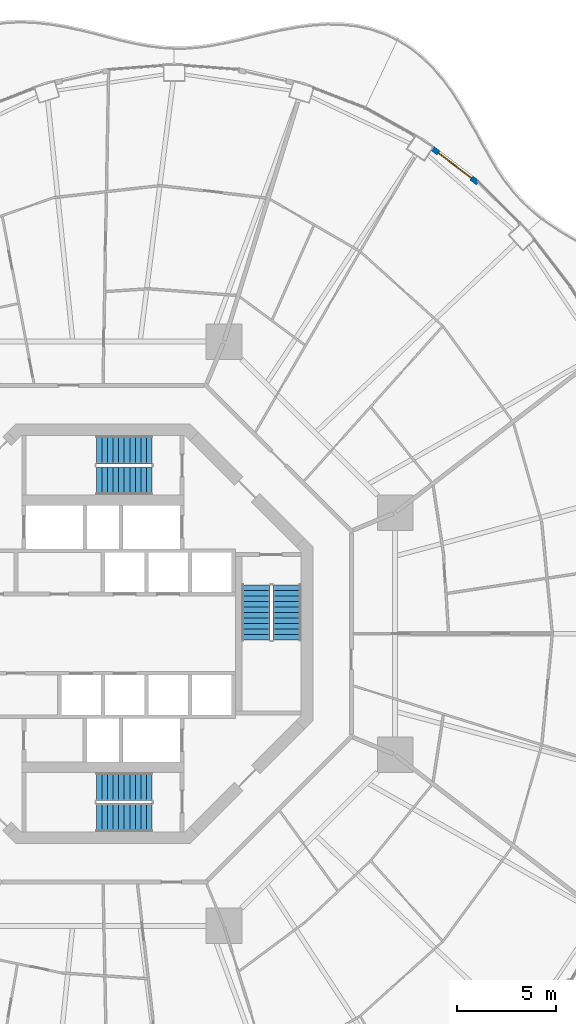
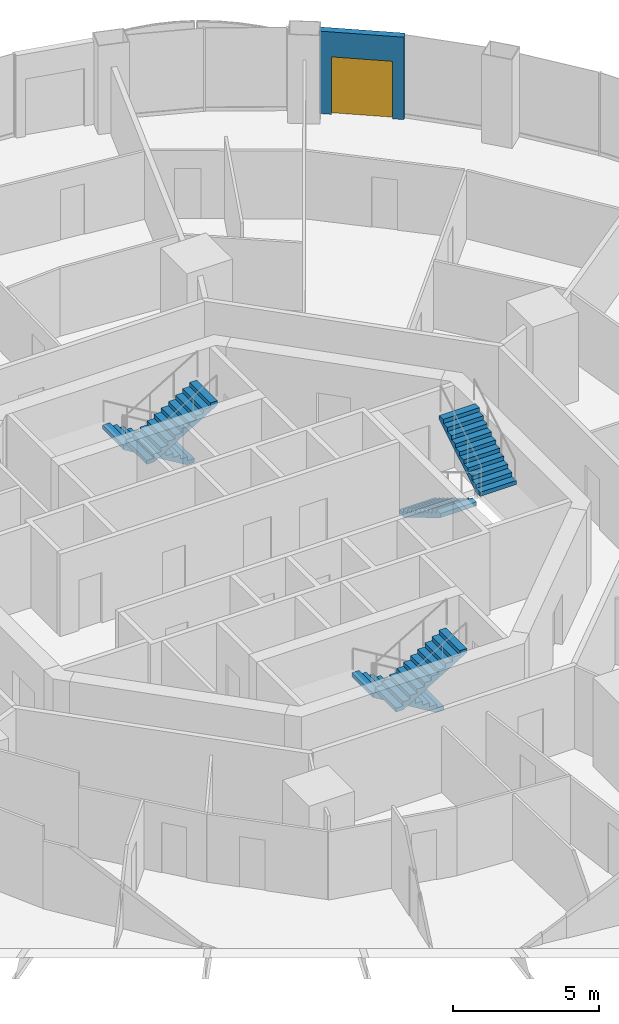
# One storey, part 16 of 19: 6 stair flights, 1 door, 1 wall, 1 opening, 3 elements without a shape of their own.
"""IFC4 building model written with IfcOpenShell, lengths in metres."""

from ifc_helpers import new_model, si_unit, direction, frame, frame_2d, origin, place, context, subcontext, project, spatial, polyline, rectangle, outline, extrude, material, layer, layer_set, type_object, element, fill, aggregate, save


model = new_model("IFC4")

# Units and contexts
model_context = context("Model", 3, precision=1e-05, world=origin(), true_north=direction((0.0, 1.0)))
body_context = subcontext(model_context, "Body", "Model", "MODEL_VIEW")
ifc_project = project(units=[si_unit("LENGTHUNIT", "METRE"), si_unit("AREAUNIT", "SQUARE_METRE"), si_unit("VOLUMEUNIT", "CUBIC_METRE"), si_unit("PLANEANGLEUNIT", "RADIAN"), si_unit("MASSUNIT", "GRAM", prefix="KILO")], contexts=[model_context])

# Site, building, storey
site_placement = place(None, origin())
site = spatial("IfcSite", under=ifc_project, at=site_placement, CompositionType="ELEMENT")
building_placement = place(site_placement, origin())
building = spatial("IfcBuilding", under=site, at=building_placement, Name="Nagisa Residences", CompositionType="ELEMENT")
storey_placement = place(building_placement, frame((0.0, 0.0, 177.0)))
storey = spatial("IfcBuildingStorey", under=building, at=storey_placement, Name="L44", CompositionType="ELEMENT", Elevation=177.0)

# Wall, opening, door
ifc_material_1 = material(Name="Precast concrete C40/50", Category="concrete")
ifc_layer = layer(ifc_material_1, 0.25)
ifc_layer_set = layer_set([ifc_layer], Name="BALCONY DOOR WALL 250")
wall_type = type_object("IfcWallType", Name="BALCONY DOOR WALL 250", PredefinedType="SOLIDWALL", material=ifc_layer_set)
wall_placement = place(storey_placement, frame((16.649658203125, 24.573974609375, 0.0), z_axis=(0.0, 0.0, 1.0), x_axis=(0.796055733703, -0.60522332146, 0.0)))
wall = element("IfcWall", 1, at=wall_placement, inside=storey, type_object=wall_type, Name="wall:L44:bay07", PredefinedType="SOLIDWALL", context=body_context, shape_type="SweptSolid", body=[
    extrude(rectangle(XDim=2.9169921875, YDim=0.25, at=frame_2d((1.45849609375, 0.0))), origin(), (0.0, 0.0, 1.0), 3.43994140625),
])
opening_placement = place(wall_placement, frame((0.408447265625, 0.0, 0.0)))
opening = element("IfcOpeningElement", 2, at=opening_placement, cuts=wall, Name="Opening BD-L44-03", PredefinedType="OPENING", context=body_context, shape_type="SweptSolid", body=[
    extrude(rectangle(XDim=2.10009765625, YDim=2.39990234375, at=frame_2d((1.050048828125, 1.199951171875))), frame((0.0, 0.135009765625, 0.0), z_axis=(0.0, -1.0, 0.0), x_axis=(1.0, 0.0, 0.0)), (0.0, 0.0, 1.0), 0.27001953125),
])
ifc_material_2 = material(Name="Aluminium and clear glass", Category="aluminium")
door_type = type_object("IfcDoorType", Name="BALCONY SLIDING DOOR 2100x2400", OperationType="SLIDING_TO_LEFT", PredefinedType="DOOR", material=ifc_material_2)
door_placement = place(opening_placement, origin())
door = element("IfcDoor", 3, at=door_placement, inside=storey, type_object=door_type, Name="door:L44:bay07", OperationType="SLIDING_TO_LEFT", OverallHeight=2.39990234375, OverallWidth=2.10009765625, PredefinedType="DOOR", context=body_context, shape_type="SweptSolid", body=[
    extrude(rectangle(XDim=2.10009765625, YDim=2.39990234375, at=frame_2d((1.050048828125, 1.199951171875))), frame((0.0, 0.02490234375, 0.0), z_axis=(0.0, -1.0, 0.0), x_axis=(1.0, 0.0, 0.0)), (0.0, 0.0, 1.0), 0.050048828125),
])
fill(opening, door)

# Stair, stair flights
ifc_material_3 = material(Name="Concrete C60", Category="concrete")
stair_type = type_object("IfcStairType", Name="Exit stair", PredefinedType="HALF_TURN_STAIR", material=ifc_material_3)
stair_1_placement = place(storey_placement, origin())
stair_1 = element("IfcStair", 4, at=stair_1_placement, inside=storey, type_object=stair_type, Name="L44 Exit stair E", PredefinedType="HALF_TURN_STAIR")
ifc_material_4 = material(Name="Concrete C60", Category="concrete")
stair_flight_type = type_object("IfcStairFlightType", Name="Exit stair flight", PredefinedType="STRAIGHT", material=ifc_material_4)
stair_flight_1_placement = place(storey_placement, frame((7.737060546875, 2.47509765625, 0.0), z_axis=(0.0, 0.0, 1.0), x_axis=(0.0, -1.0, 0.0)))
stair_flight_1 = element("IfcStairFlight", 5, at=stair_flight_1_placement, type_object=stair_flight_type, Name="ST-E flight 1", NumberOfRisers=11, NumberOfTreads=10, PredefinedType="STRAIGHT", RiserHeight=0.168181818, TreadLength=0.28, context=body_context, shape_type="SweptSolid", body=[
    extrude(outline(polyline([(0.0, 0.0), (0.0, 0.168212890625), (0.280029296875, 0.168212890625), (0.280029296875, 0.33642578125), (0.56005859375, 0.33642578125), (0.56005859375, 0.504638671875), (0.840087890625, 0.504638671875), (0.840087890625, 0.672607421875), (1.1201171875, 0.672607421875), (1.1201171875, 0.8408203125), (1.39990234375, 0.8408203125), (1.39990234375, 1.009033203125), (1.679931640625, 1.009033203125), (1.679931640625, 1.17724609375), (1.9599609375, 1.17724609375), (1.9599609375, 1.345458984375), (2.239990234375, 1.345458984375), (2.239990234375, 1.513671875), (2.52001953125, 1.513671875), (2.52001953125, 1.681884765625), (2.800048828125, 1.681884765625), (2.800048828125, 1.85009765625), (2.800048828125, 1.5068359375), (0.291015625, 0.0), (0.0, 0.0)])), frame((0.0, 0.71240234375, 0.0), z_axis=(0.0, -1.0, 0.0), x_axis=(1.0, 0.0, 0.0)), (0.0, 0.0, 1.0), 1.425048828125),
])
stair_flight_2_placement = place(storey_placement, frame((9.31201171875, -0.324951171875, 1.85009765625), z_axis=(0.0, 0.0, 1.0), x_axis=(0.0, 1.0, 0.0)))
stair_flight_2 = element("IfcStairFlight", 6, at=stair_flight_2_placement, type_object=stair_flight_type, Name="ST-E flight 2", NumberOfRisers=11, NumberOfTreads=10, PredefinedType="STRAIGHT", RiserHeight=0.168181818, TreadLength=0.28, context=body_context, shape_type="SweptSolid", body=[
    extrude(outline(polyline([(0.0, 0.0), (0.0, 0.168212890625), (0.280029296875, 0.168212890625), (0.280029296875, 0.33642578125), (0.56005859375, 0.33642578125), (0.56005859375, 0.504638671875), (0.840087890625, 0.504638671875), (0.840087890625, 0.672607421875), (1.1201171875, 0.672607421875), (1.1201171875, 0.8408203125), (1.39990234375, 0.8408203125), (1.39990234375, 1.009033203125), (1.679931640625, 1.009033203125), (1.679931640625, 1.17724609375), (1.9599609375, 1.17724609375), (1.9599609375, 1.345458984375), (2.239990234375, 1.345458984375), (2.239990234375, 1.513671875), (2.52001953125, 1.513671875), (2.52001953125, 1.681884765625), (2.800048828125, 1.681884765625), (2.800048828125, 1.85009765625), (2.800048828125, 1.5068359375), (0.291015625, 0.0), (0.0, 0.0)])), frame((0.0, 0.71240234375, 0.0), z_axis=(0.0, -1.0, 0.0), x_axis=(1.0, 0.0, 0.0)), (0.0, 0.0, 1.0), 1.425048828125),
])
aggregate(stair_1, [stair_flight_1, stair_flight_2])

stair_2_placement = place(storey_placement, origin())
stair_2 = element("IfcStair", 7, at=stair_2_placement, inside=storey, type_object=stair_type, Name="L44 Exit stair N", PredefinedType="HALF_TURN_STAIR")
stair_flight_3_placement = place(storey_placement, frame((2.47509765625, 9.31201171875, 0.0), z_axis=(0.0, 0.0, 1.0), x_axis=(-1.0, 0.0, 0.0)))
stair_flight_3 = element("IfcStairFlight", 8, at=stair_flight_3_placement, type_object=stair_flight_type, Name="ST-N flight 1", NumberOfRisers=11, NumberOfTreads=10, PredefinedType="STRAIGHT", RiserHeight=0.168181818, TreadLength=0.28, context=body_context, shape_type="SweptSolid", body=[
    extrude(outline(polyline([(0.0, 0.0), (0.0, 0.168212890625), (0.280029296875, 0.168212890625), (0.280029296875, 0.33642578125), (0.56005859375, 0.33642578125), (0.56005859375, 0.504638671875), (0.840087890625, 0.504638671875), (0.840087890625, 0.672607421875), (1.1201171875, 0.672607421875), (1.1201171875, 0.8408203125), (1.39990234375, 0.8408203125), (1.39990234375, 1.009033203125), (1.679931640625, 1.009033203125), (1.679931640625, 1.17724609375), (1.9599609375, 1.17724609375), (1.9599609375, 1.345458984375), (2.239990234375, 1.345458984375), (2.239990234375, 1.513671875), (2.52001953125, 1.513671875), (2.52001953125, 1.681884765625), (2.800048828125, 1.681884765625), (2.800048828125, 1.85009765625), (2.800048828125, 1.5068359375), (0.291015625, 0.0), (0.0, 0.0)])), frame((0.0, 0.71240234375, 0.0), z_axis=(0.0, -1.0, 0.0), x_axis=(1.0, 0.0, 0.0)), (0.0, 0.0, 1.0), 1.425048828125),
])
stair_flight_4_placement = place(storey_placement, frame((-0.324951171875, 7.737060546875, 1.85009765625), z_axis=(0.0, 0.0, 1.0), x_axis=(1.0, 0.0, 0.0)))
stair_flight_4 = element("IfcStairFlight", 9, at=stair_flight_4_placement, type_object=stair_flight_type, Name="ST-N flight 2", NumberOfRisers=11, NumberOfTreads=10, PredefinedType="STRAIGHT", RiserHeight=0.168181818, TreadLength=0.28, context=body_context, shape_type="SweptSolid", body=[
    extrude(outline(polyline([(0.0, 0.0), (0.0, 0.168212890625), (0.280029296875, 0.168212890625), (0.280029296875, 0.33642578125), (0.56005859375, 0.33642578125), (0.56005859375, 0.504638671875), (0.840087890625, 0.504638671875), (0.840087890625, 0.672607421875), (1.1201171875, 0.672607421875), (1.1201171875, 0.8408203125), (1.39990234375, 0.8408203125), (1.39990234375, 1.009033203125), (1.679931640625, 1.009033203125), (1.679931640625, 1.17724609375), (1.9599609375, 1.17724609375), (1.9599609375, 1.345458984375), (2.239990234375, 1.345458984375), (2.239990234375, 1.513671875), (2.52001953125, 1.513671875), (2.52001953125, 1.681884765625), (2.800048828125, 1.681884765625), (2.800048828125, 1.85009765625), (2.800048828125, 1.5068359375), (0.291015625, 0.0), (0.0, 0.0)])), frame((0.0, 0.71240234375, 0.0), z_axis=(0.0, -1.0, 0.0), x_axis=(1.0, 0.0, 0.0)), (0.0, 0.0, 1.0), 1.425048828125),
])
aggregate(stair_2, [stair_flight_3, stair_flight_4])

stair_3_placement = place(storey_placement, origin())
stair_3 = element("IfcStair", 10, at=stair_3_placement, inside=storey, type_object=stair_type, Name="L44 Exit stair S", PredefinedType="HALF_TURN_STAIR")
stair_flight_5_placement = place(storey_placement, frame((2.47509765625, -7.737060546875, 0.0), z_axis=(0.0, 0.0, 1.0), x_axis=(-1.0, 0.0, 0.0)))
stair_flight_5 = element("IfcStairFlight", 11, at=stair_flight_5_placement, type_object=stair_flight_type, Name="ST-S flight 1", NumberOfRisers=11, NumberOfTreads=10, PredefinedType="STRAIGHT", RiserHeight=0.168181818, TreadLength=0.28, context=body_context, shape_type="SweptSolid", body=[
    extrude(outline(polyline([(0.0, 0.0), (0.0, 0.168212890625), (0.280029296875, 0.168212890625), (0.280029296875, 0.33642578125), (0.56005859375, 0.33642578125), (0.56005859375, 0.504638671875), (0.840087890625, 0.504638671875), (0.840087890625, 0.672607421875), (1.1201171875, 0.672607421875), (1.1201171875, 0.8408203125), (1.39990234375, 0.8408203125), (1.39990234375, 1.009033203125), (1.679931640625, 1.009033203125), (1.679931640625, 1.17724609375), (1.9599609375, 1.17724609375), (1.9599609375, 1.345458984375), (2.239990234375, 1.345458984375), (2.239990234375, 1.513671875), (2.52001953125, 1.513671875), (2.52001953125, 1.681884765625), (2.800048828125, 1.681884765625), (2.800048828125, 1.85009765625), (2.800048828125, 1.5068359375), (0.291015625, 0.0), (0.0, 0.0)])), frame((0.0, 0.71240234375, 0.0), z_axis=(0.0, -1.0, 0.0), x_axis=(1.0, 0.0, 0.0)), (0.0, 0.0, 1.0), 1.425048828125),
])
stair_flight_6_placement = place(storey_placement, frame((-0.324951171875, -9.31201171875, 1.85009765625), z_axis=(0.0, 0.0, 1.0), x_axis=(1.0, 0.0, 0.0)))
stair_flight_6 = element("IfcStairFlight", 12, at=stair_flight_6_placement, type_object=stair_flight_type, Name="ST-S flight 2", NumberOfRisers=11, NumberOfTreads=10, PredefinedType="STRAIGHT", RiserHeight=0.168181818, TreadLength=0.28, context=body_context, shape_type="SweptSolid", body=[
    extrude(outline(polyline([(0.0, 0.0), (0.0, 0.168212890625), (0.280029296875, 0.168212890625), (0.280029296875, 0.33642578125), (0.56005859375, 0.33642578125), (0.56005859375, 0.504638671875), (0.840087890625, 0.504638671875), (0.840087890625, 0.672607421875), (1.1201171875, 0.672607421875), (1.1201171875, 0.8408203125), (1.39990234375, 0.8408203125), (1.39990234375, 1.009033203125), (1.679931640625, 1.009033203125), (1.679931640625, 1.17724609375), (1.9599609375, 1.17724609375), (1.9599609375, 1.345458984375), (2.239990234375, 1.345458984375), (2.239990234375, 1.513671875), (2.52001953125, 1.513671875), (2.52001953125, 1.681884765625), (2.800048828125, 1.681884765625), (2.800048828125, 1.85009765625), (2.800048828125, 1.5068359375), (0.291015625, 0.0), (0.0, 0.0)])), frame((0.0, 0.71240234375, 0.0), z_axis=(0.0, -1.0, 0.0), x_axis=(1.0, 0.0, 0.0)), (0.0, 0.0, 1.0), 1.425048828125),
])
aggregate(stair_3, [stair_flight_5, stair_flight_6])

save(model, "model.ifc")
